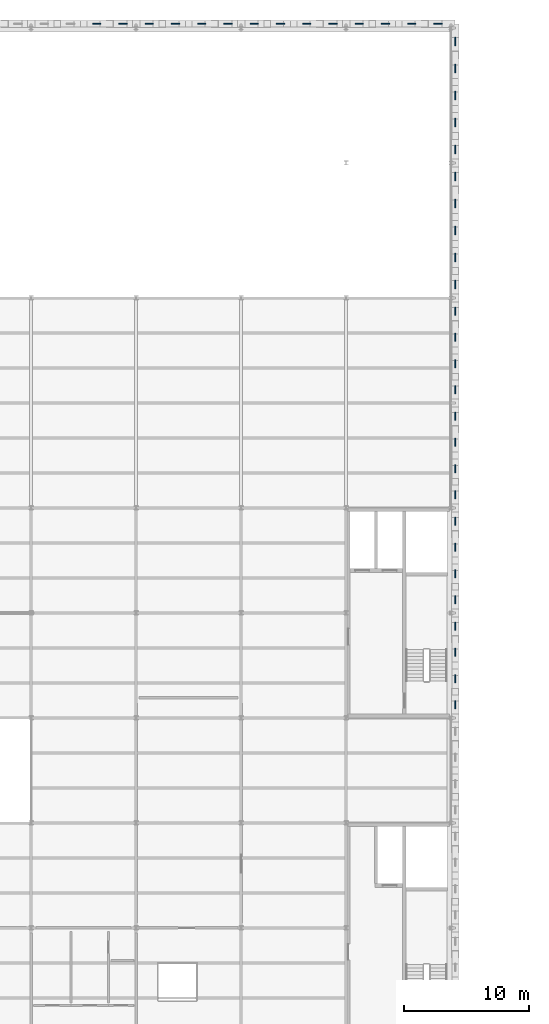
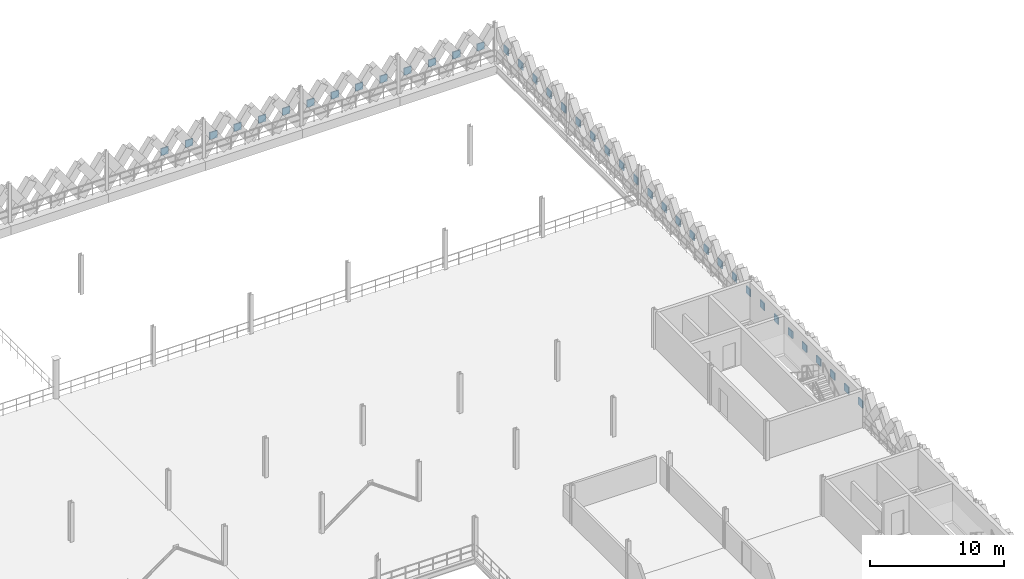
# One storey, part 38 of 47: 40 plates.
"""IFC4 building model written with IfcOpenShell, lengths in metres."""

from ifc_helpers import new_model, si_unit, direction, frame, origin, origin_2d, place, context, subcontext, project, spatial, rectangle, extrude, material, layer, layer_set, type_object, element, save


model = new_model("IFC4")

# Units and contexts
model_context = context("Model", 3, precision=1e-05, world=origin(), true_north=direction((0.0, 1.0)))
body_context = subcontext(model_context, "Body", "Model", "MODEL_VIEW")
ifc_project = project(units=[si_unit("LENGTHUNIT", "METRE"), si_unit("AREAUNIT", "SQUARE_METRE"), si_unit("VOLUMEUNIT", "CUBIC_METRE"), si_unit("PLANEANGLEUNIT", "RADIAN"), si_unit("MASSUNIT", "GRAM", prefix="KILO"), si_unit("THERMODYNAMICTEMPERATUREUNIT", "KELVIN"), si_unit("POWERUNIT", "WATT")], contexts=[model_context])

# Site, building, storey
site_placement = place(None, origin())
site = spatial("IfcSite", under=ifc_project, at=site_placement, CompositionType="ELEMENT")
building_placement = place(site_placement, origin())
building = spatial("IfcBuilding", under=site, at=building_placement, Name="Tembeka Court Mobility Hub", CompositionType="ELEMENT")
storey_placement = place(building_placement, frame((0.0, 0.0, 19.800048828125)))
storey = spatial("IfcBuildingStorey", under=building, at=storey_placement, Name="L05", CompositionType="ELEMENT", Elevation=19.800048828125)

# Plates
ifc_material = material(Name="Precast concrete C45/55", Category="concrete")
ifc_layer = layer(ifc_material, 0.090087890625)
ifc_layer_set = layer_set([ifc_layer], Name="Precast concrete C45/55")
plate_type = type_object("IfcPlateType", Name="PL-PC01", PredefinedType="SHEET", material=ifc_layer_set)
for number, where, z_axis, x_axis, name in (
    (1, (64.050048828125, 119.139892578125, 1.159912109375), (0.0, 0.0, 1.0), (1.0, 0.0, 0.0), "Precast diamond lattice node plate PCN01 (L05-863)"),
    (2, (66.14990234375, 119.139892578125, 1.159912109375), (0.0, 0.0, 1.0), (1.0, 0.0, 0.0), "Precast diamond lattice node plate PCN01 (L05-864)"),
    (3, (68.25, 119.139892578125, 1.159912109375), (0.0, 0.0, 1.0), (1.0, 0.0, 0.0), "Precast diamond lattice node plate PCN01 (L05-865)"),
    (4, (70.35009765625, 119.139892578125, 1.159912109375), (0.0, 0.0, 1.0), (1.0, 0.0, 0.0), "Precast diamond lattice node plate PCN01 (L05-866)"),
    (5, (72.449951171875, 119.139892578125, 1.159912109375), (0.0, 0.0, 1.0), (1.0, 0.0, 0.0), "Precast diamond lattice node plate PCN01 (L05-867)"),
    (6, (74.550048828125, 119.139892578125, 1.159912109375), (0.0, 0.0, 1.0), (1.0, 0.0, 0.0), "Precast diamond lattice node plate PCN01 (L05-868)"),
    (7, (76.64990234375, 119.139892578125, 1.159912109375), (0.0, 0.0, 1.0), (1.0, 0.0, 0.0), "Precast diamond lattice node plate PCN01 (L05-869)"),
    (8, (78.75, 119.139892578125, 1.159912109375), (0.0, 0.0, 1.0), (1.0, 0.0, 0.0), "Precast diamond lattice node plate PCN01 (L05-870)"),
    (9, (80.85009765625, 119.139892578125, 1.159912109375), (0.0, 0.0, 1.0), (1.0, 0.0, 0.0), "Precast diamond lattice node plate PCN01 (L05-871)"),
    (10, (82.949951171875, 119.139892578125, 1.159912109375), (0.0, 0.0, 1.0), (1.0, 0.0, 0.0), "Precast diamond lattice node plate PCN01 (L05-872)"),
    (11, (85.050048828125, 119.139892578125, 1.159912109375), (0.0, 0.0, 1.0), (1.0, 0.0, 0.0), "Precast diamond lattice node plate PCN01 (L05-873)"),
    (12, (87.14990234375, 119.139892578125, 1.159912109375), (0.0, 0.0, 1.0), (1.0, 0.0, 0.0), "Precast diamond lattice node plate PCN01 (L05-874)"),
    (13, (89.25, 119.139892578125, 1.159912109375), (0.0, 0.0, 1.0), (1.0, 0.0, 0.0), "Precast diamond lattice node plate PCN01 (L05-875)"),
    (14, (91.35009765625, 119.139892578125, 1.159912109375), (0.0, 0.0, 1.0), (1.0, 0.0, 0.0), "Precast diamond lattice node plate PCN01 (L05-876)"),
):
    element("IfcPlate", number, at=place(storey_placement, frame(where, z_axis=z_axis, x_axis=x_axis)), inside=storey, type_object=plate_type, Name=name, PredefinedType="SHEET", context=body_context, shape_type="SweptSolid", body=[
        extrude(rectangle(XDim=0.64990234375, YDim=0.090087890625, at=origin_2d()), origin(), (0.0, 0.0, 1.0), 0.64990234375),
    ])
for number, where, z_axis, x_axis, name in (
    (15, (92.739990234375, 64.64990234375, 1.159912109375), (0.0, 0.0, 1.0), (1.0, 0.0, 0.0), "Precast diamond lattice node plate PCN01 (L05-963)"),
    (16, (92.739990234375, 66.75, 1.159912109375), (0.0, 0.0, 1.0), (1.0, 0.0, 0.0), "Precast diamond lattice node plate PCN01 (L05-964)"),
    (17, (92.739990234375, 68.85009765625, 1.159912109375), (0.0, 0.0, 1.0), (1.0, 0.0, 0.0), "Precast diamond lattice node plate PCN01 (L05-965)"),
    (18, (92.739990234375, 70.949951171875, 1.159912109375), (0.0, 0.0, 1.0), (1.0, 0.0, 0.0), "Precast diamond lattice node plate PCN01 (L05-966)"),
    (19, (92.739990234375, 73.050048828125, 1.159912109375), (0.0, 0.0, 1.0), (1.0, 0.0, 0.0), "Precast diamond lattice node plate PCN01 (L05-967)"),
    (20, (92.739990234375, 75.14990234375, 1.159912109375), (0.0, 0.0, 1.0), (1.0, 0.0, 0.0), "Precast diamond lattice node plate PCN01 (L05-968)"),
    (21, (92.739990234375, 77.25, 1.159912109375), (0.0, 0.0, 1.0), (1.0, 0.0, 0.0), "Precast diamond lattice node plate PCN01 (L05-969)"),
    (22, (92.739990234375, 79.35009765625, 1.159912109375), (0.0, 0.0, 1.0), (1.0, 0.0, 0.0), "Precast diamond lattice node plate PCN01 (L05-970)"),
    (23, (92.739990234375, 81.449951171875, 1.159912109375), (0.0, 0.0, 1.0), (1.0, 0.0, 0.0), "Precast diamond lattice node plate PCN01 (L05-971)"),
    (24, (92.739990234375, 83.550048828125, 1.159912109375), (0.0, 0.0, 1.0), (1.0, 0.0, 0.0), "Precast diamond lattice node plate PCN01 (L05-972)"),
    (25, (92.739990234375, 85.64990234375, 1.159912109375), (0.0, 0.0, 1.0), (1.0, 0.0, 0.0), "Precast diamond lattice node plate PCN01 (L05-973)"),
    (26, (92.739990234375, 87.75, 1.159912109375), (0.0, 0.0, 1.0), (1.0, 0.0, 0.0), "Precast diamond lattice node plate PCN01 (L05-974)"),
    (27, (92.739990234375, 89.85009765625, 1.159912109375), (0.0, 0.0, 1.0), (1.0, 0.0, 0.0), "Precast diamond lattice node plate PCN01 (L05-975)"),
    (28, (92.739990234375, 91.949951171875, 1.159912109375), (0.0, 0.0, 1.0), (1.0, 0.0, 0.0), "Precast diamond lattice node plate PCN01 (L05-976)"),
    (29, (92.739990234375, 94.050048828125, 1.159912109375), (0.0, 0.0, 1.0), (1.0, 0.0, 0.0), "Precast diamond lattice node plate PCN01 (L05-977)"),
    (30, (92.739990234375, 96.14990234375, 1.159912109375), (0.0, 0.0, 1.0), (1.0, 0.0, 0.0), "Precast diamond lattice node plate PCN01 (L05-978)"),
    (31, (92.739990234375, 98.280029296875, 1.159912109375), (0.0, 0.0, 1.0), (1.0, 0.0, 0.0), "Precast diamond lattice node plate PCN01 (L05-979)"),
    (32, (92.739990234375, 100.43994140625, 1.159912109375), (0.0, 0.0, 1.0), (1.0, 0.0, 0.0), "Precast diamond lattice node plate PCN01 (L05-980)"),
    (33, (92.739990234375, 102.60009765625, 1.159912109375), (0.0, 0.0, 1.0), (1.0, 0.0, 0.0), "Precast diamond lattice node plate PCN01 (L05-981)"),
    (34, (92.739990234375, 104.760009765625, 1.159912109375), (0.0, 0.0, 1.0), (1.0, 0.0, 0.0), "Precast diamond lattice node plate PCN01 (L05-982)"),
    (35, (92.739990234375, 106.919921875, 1.159912109375), (0.0, 0.0, 1.0), (1.0, 0.0, 0.0), "Precast diamond lattice node plate PCN01 (L05-983)"),
    (36, (92.739990234375, 109.080078125, 1.159912109375), (0.0, 0.0, 1.0), (1.0, 0.0, 0.0), "Precast diamond lattice node plate PCN01 (L05-984)"),
    (37, (92.739990234375, 111.239990234375, 1.159912109375), (0.0, 0.0, 1.0), (1.0, 0.0, 0.0), "Precast diamond lattice node plate PCN01 (L05-985)"),
    (38, (92.739990234375, 113.39990234375, 1.159912109375), (0.0, 0.0, 1.0), (1.0, 0.0, 0.0), "Precast diamond lattice node plate PCN01 (L05-986)"),
    (39, (92.739990234375, 115.56005859375, 1.159912109375), (0.0, 0.0, 1.0), (1.0, 0.0, 0.0), "Precast diamond lattice node plate PCN01 (L05-987)"),
    (40, (92.739990234375, 117.719970703125, 1.159912109375), (0.0, 0.0, 1.0), (1.0, 0.0, 0.0), "Precast diamond lattice node plate PCN01 (L05-988)"),
):
    element("IfcPlate", number, at=place(storey_placement, frame(where, z_axis=z_axis, x_axis=x_axis)), inside=storey, type_object=plate_type, Name=name, PredefinedType="SHEET", context=body_context, shape_type="SweptSolid", body=[
        extrude(rectangle(XDim=0.090087890625, YDim=0.64990234375, at=origin_2d()), origin(), (0.0, 0.0, 1.0), 0.64990234375),
    ])

save(model, "model.ifc")
